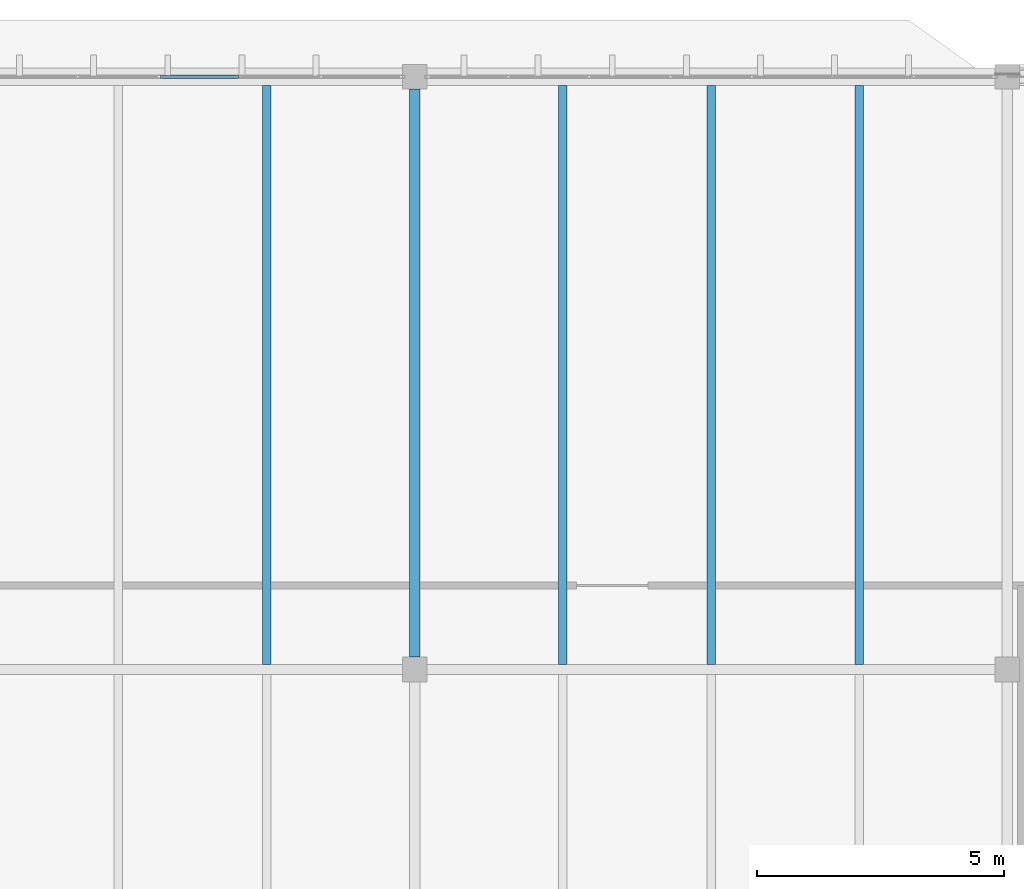
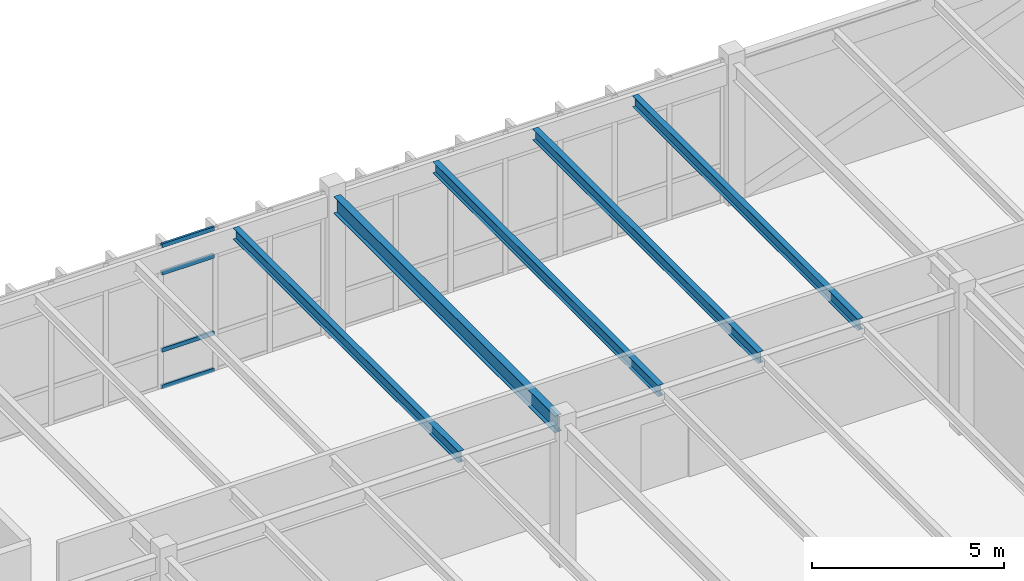
# One storey, part 98 of 236: 5 beams, 4 members, 1 element without a shape of its own.
"""IFC4 building model written with IfcOpenShell, lengths in metres."""

from ifc_helpers import new_model, si_unit, direction, frame, origin, origin_2d, place, context, subcontext, project, spatial, hollow_rectangle, i_section, extrude, material, layer, layer_set, material_profile, profile_set, type_object, element, aggregate, save


model = new_model("IFC4")

# Units and contexts
model_context = context("Model", 3, precision=1e-05, world=origin(), true_north=direction((0.0, 1.0)))
body_context = subcontext(model_context, "Body", "Model", "MODEL_VIEW")
ifc_project = project(units=[si_unit("LENGTHUNIT", "METRE"), si_unit("AREAUNIT", "SQUARE_METRE"), si_unit("VOLUMEUNIT", "CUBIC_METRE"), si_unit("PLANEANGLEUNIT", "RADIAN"), si_unit("MASSUNIT", "GRAM", prefix="KILO")], contexts=[model_context])

# Site, building, storey
site_placement = place(None, origin())
site = spatial("IfcSite", under=ifc_project, at=site_placement, CompositionType="ELEMENT")
building_placement = place(site_placement, origin())
building = spatial("IfcBuilding", under=site, at=building_placement, Name="Pandanus Reach Market Hall", CompositionType="ELEMENT")
storey_placement = place(building_placement, frame((0.0, 0.0, 5.39990234375)))
storey = spatial("IfcBuildingStorey", under=building, at=storey_placement, Name="L01", CompositionType="ELEMENT", Elevation=5.39990234375)

# Beam
ifc_material_1 = material(Name="Steel Grade 350 (350 MPa)", Category="steel")
ifc_material_profile_1 = material_profile(ifc_material_1, i_section(OverallWidth=0.208984375, OverallDepth=0.532958984375, WebThickness=0.01025390625, FlangeThickness=0.015625, at=origin_2d()), Name="530UB92.4", Category="LoadBearing")
ifc_profile_set_1 = profile_set([ifc_material_profile_1], Name="Steel Grade 350 (350 MPa)")
beam_type_1 = type_object("IfcBeamType", Name="BM-UB530-I", PredefinedType="BEAM", material=ifc_profile_set_1)
beam_placement = place(storey_placement, frame((84.0, 108.248046875, 4.193115234375), z_axis=(0.0, 1.0, 0.0), x_axis=(-1.0, 0.0, 0.0)))
element("IfcBeam", 1, at=beam_placement, inside=storey, type_object=beam_type_1, Name="Framing beam BM-UB530-I L01.874", PredefinedType="BEAM", context=body_context, shape_type="SweptSolid", body=[
    extrude(i_section(OverallWidth=0.208984375, OverallDepth=0.532958984375, WebThickness=0.01025390625, FlangeThickness=0.015625, at=origin_2d()), origin(), (0.0, 0.0, 1.0), 11.50390625),
])

# Curtain wall, members
ifc_material_2 = material(Name="Bronze anodised aluminium and low-E glass", Category="aluminium")
ifc_layer = layer(ifc_material_2, 0.159912109375, Name="CW-39")
ifc_layer_set = layer_set([ifc_layer], Name="Bronze anodised aluminium and low-E glass")
curtain_wall_type = type_object("IfcCurtainWallType", Name="CW-39", PredefinedType="NOTDEFINED", material=ifc_layer_set)
curtain_wall_placement = place(storey_placement, origin())
curtain_wall = element("IfcCurtainWall", 2, at=curtain_wall_placement, inside=storey, type_object=curtain_wall_type, Name="Glazed curtain wall CW-39 CW-0137", PredefinedType="NOTDEFINED")
ifc_material_3 = material(Name="Bronze anodised aluminium", Category="aluminium")
ifc_material_profile_2 = material_profile(ifc_material_3, hollow_rectangle(XDim=0.06494140625, YDim=0.1298828125, WallThickness=0.00390625, at=origin_2d()), Name="ALU65x130", Category="LoadBearing")
ifc_profile_set_2 = profile_set([ifc_material_profile_2], Name="Bronze anodised aluminium")
member_type = type_object("IfcMemberType", Name="CW-T1", PredefinedType="USERDEFINED", material=ifc_profile_set_2)
member_1_placement = place(storey_placement, frame((78.85400390625, 120.0, 0.03271484375), z_axis=(1.0, 0.0, 0.0), x_axis=(0.0, 1.0, 0.0)))
member_1 = element("IfcMember", 3, at=member_1_placement, type_object=member_type, Name="CW-39 transom 5.1", ObjectType="TRANSOM", PredefinedType="USERDEFINED", context=body_context, shape_type="SweptSolid", body=[
    extrude(hollow_rectangle(XDim=0.06494140625, YDim=0.1298828125, WallThickness=0.00390625, at=origin_2d()), origin(), (0.0, 0.0, 1.0), 1.577880859375),
])
member_2_placement = place(storey_placement, frame((78.85400390625, 120.0, 1.2001953125), z_axis=(1.0, 0.0, 0.0), x_axis=(0.0, 1.0, 0.0)))
member_2 = element("IfcMember", 4, at=member_2_placement, type_object=member_type, Name="CW-39 transom 5.2", ObjectType="TRANSOM", PredefinedType="USERDEFINED", context=body_context, shape_type="SweptSolid", body=[
    extrude(hollow_rectangle(XDim=0.06494140625, YDim=0.1298828125, WallThickness=0.00390625, at=origin_2d()), origin(), (0.0, 0.0, 1.0), 1.577880859375),
])
member_3_placement = place(storey_placement, frame((78.85400390625, 120.0, 3.650146484375), z_axis=(1.0, 0.0, 0.0), x_axis=(0.0, 1.0, 0.0)))
member_3 = element("IfcMember", 5, at=member_3_placement, type_object=member_type, Name="CW-39 transom 5.3", ObjectType="TRANSOM", PredefinedType="USERDEFINED", context=body_context, shape_type="SweptSolid", body=[
    extrude(hollow_rectangle(XDim=0.06494140625, YDim=0.1298828125, WallThickness=0.00390625, at=origin_2d()), origin(), (0.0, 0.0, 1.0), 1.577880859375),
])
member_4_placement = place(storey_placement, frame((78.85400390625, 120.0, 4.517578125), z_axis=(1.0, 0.0, 0.0), x_axis=(0.0, 1.0, 0.0)))
member_4 = element("IfcMember", 6, at=member_4_placement, type_object=member_type, Name="CW-39 transom 5.4", ObjectType="TRANSOM", PredefinedType="USERDEFINED", context=body_context, shape_type="SweptSolid", body=[
    extrude(hollow_rectangle(XDim=0.06494140625, YDim=0.1298828125, WallThickness=0.00390625, at=origin_2d()), origin(), (0.0, 0.0, 1.0), 1.577880859375),
])
aggregate(curtain_wall, [member_1, member_2, member_3, member_4])

# Beams
ifc_material_profile_3 = material_profile(ifc_material_1, i_section(OverallWidth=0.1708984375, OverallDepth=0.35595703125, WebThickness=0.00732421875, FlangeThickness=0.011474609375, at=origin_2d()), Name="360UB50.7", Category="LoadBearing")
ifc_profile_set_3 = profile_set([ifc_material_profile_3], Name="Steel Grade 350 (350 MPa)")
beam_type_2 = type_object("IfcBeamType", Name="JS-UB360-I", PredefinedType="JOIST", material=ifc_profile_set_3)
for number, where, z_axis, x_axis, name in (
    (7, (81.0, 108.1025390625, 4.28173828125), (0.0, 1.0, 0.0), (-1.0, 0.0, 0.0), "Secondary joist JS-UB360-I L01.893"),
    (8, (87.0, 108.1025390625, 4.28173828125), (0.0, 1.0, 0.0), (-1.0, 0.0, 0.0), "Secondary joist JS-UB360-I L01.897"),
    (9, (90.0, 108.1025390625, 4.28173828125), (0.0, 1.0, 0.0), (-1.0, 0.0, 0.0), "Secondary joist JS-UB360-I L01.898"),
    (10, (93.0, 108.1025390625, 4.28173828125), (0.0, 1.0, 0.0), (-1.0, 0.0, 0.0), "Secondary joist JS-UB360-I L01.899"),
):
    element("IfcBeam", number, at=place(storey_placement, frame(where, z_axis=z_axis, x_axis=x_axis)), inside=storey, type_object=beam_type_2, Name=name, PredefinedType="JOIST", context=body_context, shape_type="SweptSolid", body=[
        extrude(i_section(OverallWidth=0.1708984375, OverallDepth=0.35595703125, WebThickness=0.00732421875, FlangeThickness=0.011474609375, at=origin_2d()), origin(), (0.0, 0.0, 1.0), 11.724365234375),
    ])

save(model, "model.ifc")
